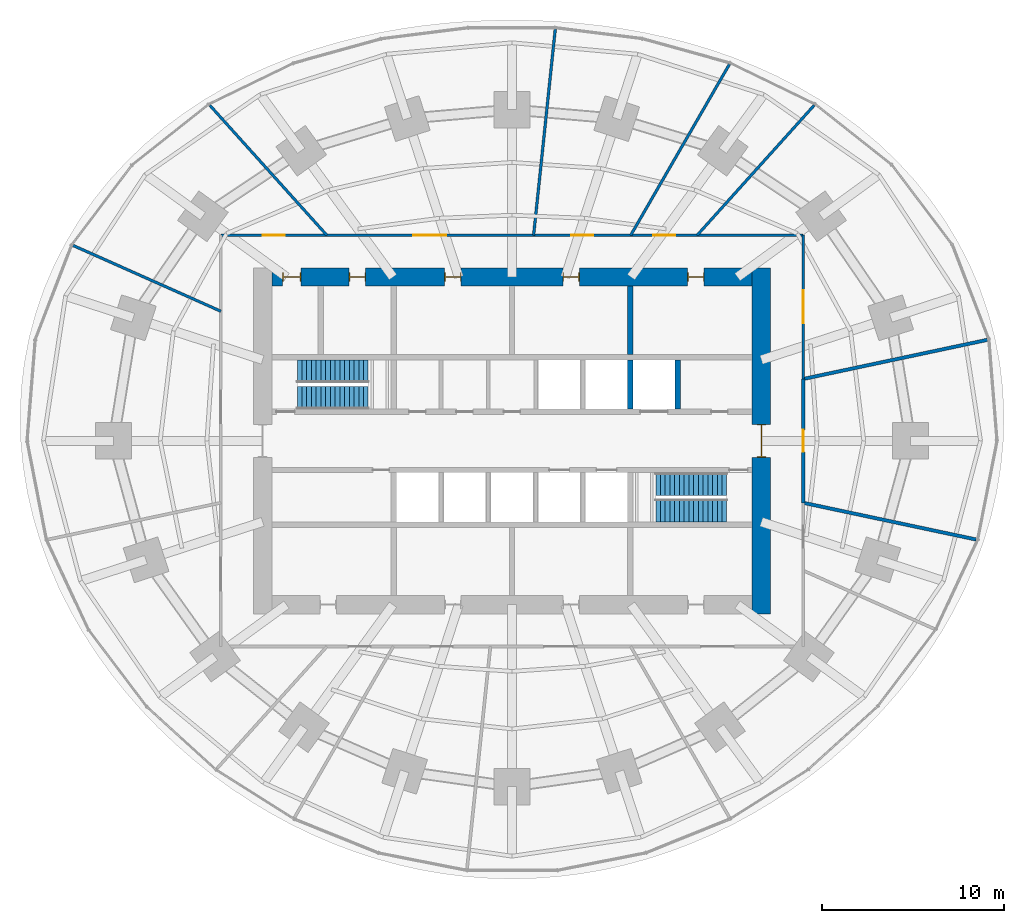
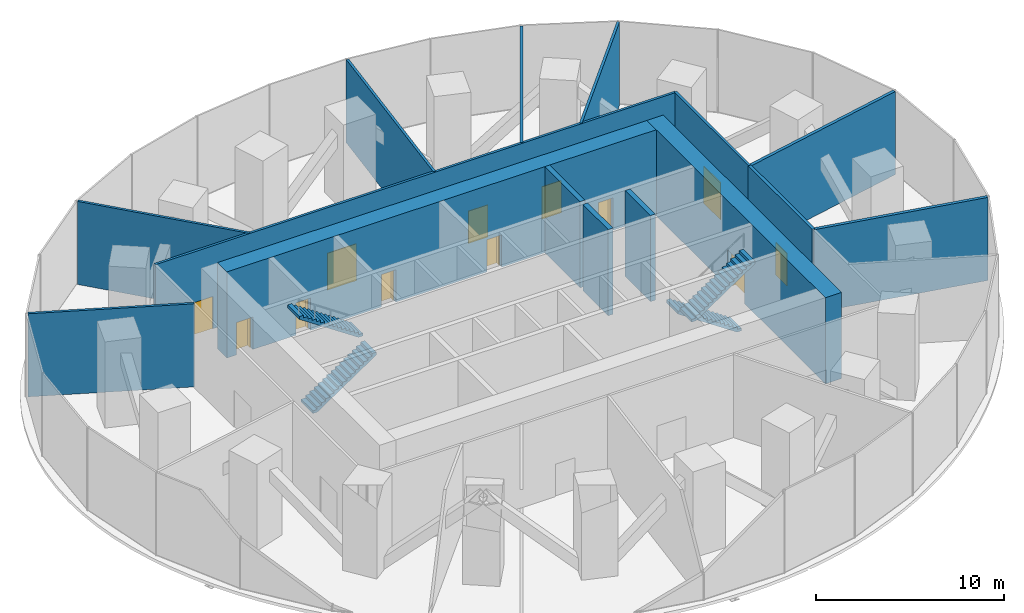
# One storey, part 12 of 13: 15 walls, 12 doors, 4 stair flights, 12 openings, 2 elements without a shape of their own.
"""IFC4 building model written with IfcOpenShell, lengths in metres."""

from ifc_helpers import new_model, si_unit, direction, frame, frame_2d, origin, place, context, subcontext, project, spatial, polyline, rectangle, outline, extrude, material, layer, layer_set, type_object, element, fill, aggregate, save


model = new_model("IFC4")

# Units and contexts
model_context = context("Model", 3, precision=1e-05, world=origin(), true_north=direction((0.0, 1.0)))
body_context = subcontext(model_context, "Body", "Model", "MODEL_VIEW")
ifc_project = project(units=[si_unit("LENGTHUNIT", "METRE"), si_unit("AREAUNIT", "SQUARE_METRE"), si_unit("VOLUMEUNIT", "CUBIC_METRE"), si_unit("PLANEANGLEUNIT", "RADIAN"), si_unit("MASSUNIT", "GRAM", prefix="KILO")], contexts=[model_context])

# Site, building, storey
site_placement = place(None, origin())
site = spatial("IfcSite", under=ifc_project, at=site_placement, CompositionType="ELEMENT")
building_placement = place(site_placement, origin())
building = spatial("IfcBuilding", under=site, at=building_placement, Name="Marramba Exchange Tower", CompositionType="ELEMENT")
storey_placement = place(building_placement, frame((0.0, 0.0, 86.800048828125)))
storey = spatial("IfcBuildingStorey", under=building, at=storey_placement, Name="L20", CompositionType="ELEMENT", Elevation=86.800048828125)

# Wall, openings, doors
ifc_material_1 = material(Name="Concrete N50", Category="concrete")
ifc_layer_1 = layer(ifc_material_1, 1.0)
ifc_layer_set_1 = layer_set([ifc_layer_1], Name="Core wall 1000")
wall_type_1 = type_object("IfcWallType", Name="Core wall 1000", PredefinedType="SHEAR", material=ifc_layer_set_1)
wall_1_placement = place(storey_placement, frame((13.199951171875, 9.0, 0.0), z_axis=(0.0, 0.0, 1.0), x_axis=(-1.0, 0.0, 0.0)))
wall_1 = element("IfcWall", 1, at=wall_1_placement, inside=storey, type_object=wall_type_1, Name="Core wall N L20", PredefinedType="SHEAR", context=body_context, shape_type="SweptSolid", body=[
    extrude(rectangle(XDim=26.39990234375, YDim=1.0, at=frame_2d((13.199951171875, 0.0))), origin(), (0.0, 0.0, 1.0), 5.599853515625),
])
opening_1_placement = place(wall_1_placement, frame((2.64990234375, 0.0, 0.0)))
opening_1 = element("IfcOpeningElement", 2, at=opening_1_placement, cuts=wall_1, Name="Opening D5", PredefinedType="OPENING", context=body_context, shape_type="SweptSolid", body=[
    extrude(rectangle(XDim=0.89990234375, YDim=2.10009765625, at=frame_2d((0.449951171875, 1.050048828125))), frame((0.0, 0.510009765625, 0.0), z_axis=(0.0, -1.0, 0.0), x_axis=(1.0, 0.0, 0.0)), (0.0, 0.0, 1.0), 1.02001953125),
])
opening_2_placement = place(wall_1_placement, frame((9.5, 0.0, 0.0)))
opening_2 = element("IfcOpeningElement", 3, at=opening_2_placement, cuts=wall_1, Name="Opening D3", PredefinedType="OPENING", context=body_context, shape_type="SweptSolid", body=[
    extrude(rectangle(XDim=0.89990234375, YDim=2.10009765625, at=frame_2d((0.449951171875, 1.050048828125))), frame((0.0, 0.510009765625, 0.0), z_axis=(0.0, -1.0, 0.0), x_axis=(1.0, 0.0, 0.0)), (0.0, 0.0, 1.0), 1.02001953125),
])
opening_3_placement = place(wall_1_placement, frame((16.0, 0.0, 0.0)))
opening_3 = element("IfcOpeningElement", 4, at=opening_3_placement, cuts=wall_1, Name="Opening D3", PredefinedType="OPENING", context=body_context, shape_type="SweptSolid", body=[
    extrude(rectangle(XDim=0.89990234375, YDim=2.10009765625, at=frame_2d((0.449951171875, 1.050048828125))), frame((0.0, 0.510009765625, 0.0), z_axis=(0.0, -1.0, 0.0), x_axis=(1.0, 0.0, 0.0)), (0.0, 0.0, 1.0), 1.02001953125),
])
opening_4_placement = place(wall_1_placement, frame((21.25, 0.0, 0.0)))
opening_4 = element("IfcOpeningElement", 5, at=opening_4_placement, cuts=wall_1, Name="Opening D5", PredefinedType="OPENING", context=body_context, shape_type="SweptSolid", body=[
    extrude(rectangle(XDim=0.89990234375, YDim=2.10009765625, at=frame_2d((0.449951171875, 1.050048828125))), frame((0.0, 0.510009765625, 0.0), z_axis=(0.0, -1.0, 0.0), x_axis=(1.0, 0.0, 0.0)), (0.0, 0.0, 1.0), 1.02001953125),
])
opening_5_placement = place(wall_1_placement, frame((24.800048828125, 0.0, 0.0)))
opening_5 = element("IfcOpeningElement", 6, at=opening_5_placement, cuts=wall_1, Name="Opening D4", PredefinedType="OPENING", context=body_context, shape_type="SweptSolid", body=[
    extrude(rectangle(XDim=1.0, YDim=2.10009765625, at=frame_2d((0.5, 1.050048828125))), frame((0.0, 0.510009765625, 0.0), z_axis=(0.0, -1.0, 0.0), x_axis=(1.0, 0.0, 0.0)), (0.0, 0.0, 1.0), 1.02001953125),
])
ifc_material_2 = material(Name="Steel-framed door", Category="steel")
door_type_1 = type_object("IfcDoorType", Name="Accessible toilet door 1000x2100", OperationType="SINGLE_SWING_LEFT", PredefinedType="DOOR", material=ifc_material_2)
door_1_placement = place(opening_5_placement, origin())
door_1 = element("IfcDoor", 7, at=door_1_placement, inside=storey, type_object=door_type_1, Name="D4 awc L20", OperationType="SINGLE_SWING_RIGHT", OverallHeight=2.10009765625, OverallWidth=1.0, PredefinedType="DOOR", context=body_context, shape_type="SweptSolid", body=[
    extrude(rectangle(XDim=0.919921875, YDim=2.06005859375, at=frame_2d((0.5, 1.030029296875))), frame((0.0, 0.02490234375, 0.0), z_axis=(0.0, -1.0, 0.0), x_axis=(1.0, 0.0, 0.0)), (0.0, 0.0, 1.0), 0.050048828125),
    extrude(rectangle(XDim=0.04, YDim=2.10009765625, at=frame_2d((0.02001953125, 1.050048828125))), frame((0.0, 0.25, 0.0), z_axis=(0.0, -1.0, 0.0), x_axis=(1.0, 0.0, 0.0)), (0.0, 0.0, 1.0), 0.5),
    extrude(rectangle(XDim=0.04, YDim=2.10009765625, at=frame_2d((0.97998046875, 1.050048828125))), frame((0.0, 0.25, 0.0), z_axis=(0.0, -1.0, 0.0), x_axis=(1.0, 0.0, 0.0)), (0.0, 0.0, 1.0), 0.5),
    extrude(rectangle(XDim=0.919921875, YDim=0.04, at=frame_2d((0.5, 2.080078125))), frame((0.0, 0.25, 0.0), z_axis=(0.0, -1.0, 0.0), x_axis=(1.0, 0.0, 0.0)), (0.0, 0.0, 1.0), 0.5),
])
fill(opening_5, door_1)
door_type_2 = type_object("IfcDoorType", Name="Service door 900x2100", OperationType="SINGLE_SWING_LEFT", PredefinedType="DOOR", material=ifc_material_2)
door_2_placement = place(opening_1_placement, origin())
door_2 = element("IfcDoor", 8, at=door_2_placement, inside=storey, type_object=door_type_2, Name="D5 comms L20", OperationType="SINGLE_SWING_LEFT", OverallHeight=2.10009765625, OverallWidth=0.89990234375, PredefinedType="DOOR", context=body_context, shape_type="SweptSolid", body=[
    extrude(rectangle(XDim=0.81982421875, YDim=2.06005859375, at=frame_2d((0.449951171875, 1.030029296875))), frame((0.0, 0.02490234375, 0.0), z_axis=(0.0, -1.0, 0.0), x_axis=(1.0, 0.0, 0.0)), (0.0, 0.0, 1.0), 0.050048828125),
    extrude(rectangle(XDim=0.04, YDim=2.10009765625, at=frame_2d((0.02001953125, 1.050048828125))), frame((0.0, 0.25, 0.0), z_axis=(0.0, -1.0, 0.0), x_axis=(1.0, 0.0, 0.0)), (0.0, 0.0, 1.0), 0.5),
    extrude(rectangle(XDim=0.04, YDim=2.10009765625, at=frame_2d((0.8798828125, 1.050048828125))), frame((0.0, 0.25, 0.0), z_axis=(0.0, -1.0, 0.0), x_axis=(1.0, 0.0, 0.0)), (0.0, 0.0, 1.0), 0.5),
    extrude(rectangle(XDim=0.81982421875, YDim=0.04, at=frame_2d((0.449951171875, 2.080078125))), frame((0.0, 0.25, 0.0), z_axis=(0.0, -1.0, 0.0), x_axis=(1.0, 0.0, 0.0)), (0.0, 0.0, 1.0), 0.5),
])
fill(opening_1, door_2)
door_3_placement = place(opening_4_placement, origin())
door_3 = element("IfcDoor", 9, at=door_3_placement, inside=storey, type_object=door_type_2, Name="D5 cleaner L20", OperationType="SINGLE_SWING_RIGHT", OverallHeight=2.10009765625, OverallWidth=0.89990234375, PredefinedType="DOOR", context=body_context, shape_type="SweptSolid", body=[
    extrude(rectangle(XDim=0.81982421875, YDim=2.06005859375, at=frame_2d((0.449951171875, 1.030029296875))), frame((0.0, 0.02490234375, 0.0), z_axis=(0.0, -1.0, 0.0), x_axis=(1.0, 0.0, 0.0)), (0.0, 0.0, 1.0), 0.050048828125),
    extrude(rectangle(XDim=0.04, YDim=2.10009765625, at=frame_2d((0.02001953125, 1.050048828125))), frame((0.0, 0.25, 0.0), z_axis=(0.0, -1.0, 0.0), x_axis=(1.0, 0.0, 0.0)), (0.0, 0.0, 1.0), 0.5),
    extrude(rectangle(XDim=0.04, YDim=2.10009765625, at=frame_2d((0.8798828125, 1.050048828125))), frame((0.0, 0.25, 0.0), z_axis=(0.0, -1.0, 0.0), x_axis=(1.0, 0.0, 0.0)), (0.0, 0.0, 1.0), 0.5),
    extrude(rectangle(XDim=0.81982421875, YDim=0.04, at=frame_2d((0.449951171875, 2.080078125))), frame((0.0, 0.25, 0.0), z_axis=(0.0, -1.0, 0.0), x_axis=(1.0, 0.0, 0.0)), (0.0, 0.0, 1.0), 0.5),
])
fill(opening_4, door_3)
door_type_3 = type_object("IfcDoorType", Name="Toilet door 900x2100", OperationType="SINGLE_SWING_LEFT", PredefinedType="DOOR", material=ifc_material_2)
door_4_placement = place(opening_2_placement, origin())
door_4 = element("IfcDoor", 10, at=door_4_placement, inside=storey, type_object=door_type_3, Name="D3 wc-f L20", OperationType="SINGLE_SWING_RIGHT", OverallHeight=2.10009765625, OverallWidth=0.89990234375, PredefinedType="DOOR", context=body_context, shape_type="SweptSolid", body=[
    extrude(rectangle(XDim=0.81982421875, YDim=2.06005859375, at=frame_2d((0.449951171875, 1.030029296875))), frame((0.0, 0.02490234375, 0.0), z_axis=(0.0, -1.0, 0.0), x_axis=(1.0, 0.0, 0.0)), (0.0, 0.0, 1.0), 0.050048828125),
    extrude(rectangle(XDim=0.04, YDim=2.10009765625, at=frame_2d((0.02001953125, 1.050048828125))), frame((0.0, 0.25, 0.0), z_axis=(0.0, -1.0, 0.0), x_axis=(1.0, 0.0, 0.0)), (0.0, 0.0, 1.0), 0.5),
    extrude(rectangle(XDim=0.04, YDim=2.10009765625, at=frame_2d((0.8798828125, 1.050048828125))), frame((0.0, 0.25, 0.0), z_axis=(0.0, -1.0, 0.0), x_axis=(1.0, 0.0, 0.0)), (0.0, 0.0, 1.0), 0.5),
    extrude(rectangle(XDim=0.81982421875, YDim=0.04, at=frame_2d((0.449951171875, 2.080078125))), frame((0.0, 0.25, 0.0), z_axis=(0.0, -1.0, 0.0), x_axis=(1.0, 0.0, 0.0)), (0.0, 0.0, 1.0), 0.5),
])
fill(opening_2, door_4)
door_5_placement = place(opening_3_placement, origin())
door_5 = element("IfcDoor", 11, at=door_5_placement, inside=storey, type_object=door_type_3, Name="D3 wc-m L20", OperationType="SINGLE_SWING_RIGHT", OverallHeight=2.10009765625, OverallWidth=0.89990234375, PredefinedType="DOOR", context=body_context, shape_type="SweptSolid", body=[
    extrude(rectangle(XDim=0.81982421875, YDim=2.06005859375, at=frame_2d((0.449951171875, 1.030029296875))), frame((0.0, 0.02490234375, 0.0), z_axis=(0.0, -1.0, 0.0), x_axis=(1.0, 0.0, 0.0)), (0.0, 0.0, 1.0), 0.050048828125),
    extrude(rectangle(XDim=0.04, YDim=2.10009765625, at=frame_2d((0.02001953125, 1.050048828125))), frame((0.0, 0.25, 0.0), z_axis=(0.0, -1.0, 0.0), x_axis=(1.0, 0.0, 0.0)), (0.0, 0.0, 1.0), 0.5),
    extrude(rectangle(XDim=0.04, YDim=2.10009765625, at=frame_2d((0.8798828125, 1.050048828125))), frame((0.0, 0.25, 0.0), z_axis=(0.0, -1.0, 0.0), x_axis=(1.0, 0.0, 0.0)), (0.0, 0.0, 1.0), 0.5),
    extrude(rectangle(XDim=0.81982421875, YDim=0.04, at=frame_2d((0.449951171875, 2.080078125))), frame((0.0, 0.25, 0.0), z_axis=(0.0, -1.0, 0.0), x_axis=(1.0, 0.0, 0.0)), (0.0, 0.0, 1.0), 0.5),
])
fill(opening_3, door_5)

# Wall, opening, door
wall_2_placement = place(storey_placement, frame((13.699951171875, -9.5, 0.0), z_axis=(0.0, 0.0, 1.0), x_axis=(0.0, 1.0, 0.0)))
wall_2 = element("IfcWall", 12, at=wall_2_placement, inside=storey, type_object=wall_type_1, Name="Core wall E L20", PredefinedType="SHEAR", context=body_context, shape_type="SweptSolid", body=[
    extrude(rectangle(XDim=19.0, YDim=1.0, at=frame_2d((9.5, 0.0))), origin(), (0.0, 0.0, 1.0), 5.599853515625),
])
opening_6_placement = place(wall_2_placement, frame((8.60009765625, 0.0, 0.0)))
opening_6 = element("IfcOpeningElement", 13, at=opening_6_placement, cuts=wall_2, Name="Opening D1", PredefinedType="OPENING", context=body_context, shape_type="SweptSolid", body=[
    extrude(rectangle(XDim=1.800048828125, YDim=2.39990234375, at=frame_2d((0.89990234375, 1.199951171875))), frame((0.0, 0.510009765625, 0.0), z_axis=(0.0, -1.0, 0.0), x_axis=(1.0, 0.0, 0.0)), (0.0, 0.0, 1.0), 1.02001953125),
])
door_type_4 = type_object("IfcDoorType", Name="Lobby exit door 1800x2400", OperationType="DOUBLE_DOOR_SINGLE_SWING", PredefinedType="DOOR", material=ifc_material_2)
door_6_placement = place(opening_6_placement, origin())
door_6 = element("IfcDoor", 14, at=door_6_placement, inside=storey, type_object=door_type_4, Name="D1 lobby exit east L20", OperationType="DOUBLE_DOOR_SINGLE_SWING", OverallHeight=2.39990234375, OverallWidth=1.800048828125, PredefinedType="DOOR", context=body_context, shape_type="SweptSolid", body=[
    extrude(rectangle(XDim=1.719970703125, YDim=2.35986328125, at=frame_2d((0.89990234375, 1.179931640625))), frame((0.0, 0.02490234375, 0.0), z_axis=(0.0, -1.0, 0.0), x_axis=(1.0, 0.0, 0.0)), (0.0, 0.0, 1.0), 0.050048828125),
    extrude(rectangle(XDim=0.04, YDim=2.39990234375, at=frame_2d((0.02001953125, 1.199951171875))), frame((0.0, 0.25, 0.0), z_axis=(0.0, -1.0, 0.0), x_axis=(1.0, 0.0, 0.0)), (0.0, 0.0, 1.0), 0.5),
    extrude(rectangle(XDim=0.04, YDim=2.39990234375, at=frame_2d((1.780029296875, 1.199951171875))), frame((0.0, 0.25, 0.0), z_axis=(0.0, -1.0, 0.0), x_axis=(1.0, 0.0, 0.0)), (0.0, 0.0, 1.0), 0.5),
    extrude(rectangle(XDim=1.719970703125, YDim=0.04, at=frame_2d((0.89990234375, 2.3798828125))), frame((0.0, 0.25, 0.0), z_axis=(0.0, -1.0, 0.0), x_axis=(1.0, 0.0, 0.0)), (0.0, 0.0, 1.0), 0.5),
])
fill(opening_6, door_6)

# Walls
ifc_layer_2 = layer(ifc_material_1, 0.300048828125)
ifc_layer_set_2 = layer_set([ifc_layer_2], Name="Core wall 300")
wall_type_2 = type_object("IfcWallType", Name="Core wall 300", PredefinedType="SHEAR", material=ifc_layer_set_2)
wall_3_placement = place(storey_placement, frame((6.5, 1.75, 0.0), z_axis=(0.0, 0.0, 1.0), x_axis=(0.0, 1.0, 0.0)))
element("IfcWall", 15, at=wall_3_placement, inside=storey, type_object=wall_type_2, Name="Core wall X1Na L20", PredefinedType="SHEAR", context=body_context, shape_type="SweptSolid", body=[
    extrude(rectangle(XDim=2.699951171875, YDim=0.300048828125, at=frame_2d((1.35009765625, 0.0))), origin(), (0.0, 0.0, 1.0), 5.599853515625),
])
wall_4_placement = place(storey_placement, frame((6.5, 4.75, 0.0), z_axis=(0.0, 0.0, 1.0), x_axis=(0.0, 1.0, 0.0)))
element("IfcWall", 16, at=wall_4_placement, inside=storey, type_object=wall_type_2, Name="Core wall X1Nb L20", PredefinedType="SHEAR", context=body_context, shape_type="SweptSolid", body=[
    extrude(rectangle(XDim=3.75, YDim=0.300048828125, at=frame_2d((1.875, 0.0))), origin(), (0.0, 0.0, 1.0), 5.599853515625),
])
wall_5_placement = place(storey_placement, frame((9.10009765625, 1.75, 0.0), z_axis=(0.0, 0.0, 1.0), x_axis=(0.0, 1.0, 0.0)))
element("IfcWall", 17, at=wall_5_placement, inside=storey, type_object=wall_type_2, Name="Core wall ED L20", PredefinedType="SHEAR", context=body_context, shape_type="SweptSolid", body=[
    extrude(rectangle(XDim=2.699951171875, YDim=0.300048828125, at=frame_2d((1.35009765625, 0.0))), origin(), (0.0, 0.0, 1.0), 5.599853515625),
])
ifc_material_3 = material(Name="Core-filled concrete blockwork, rendered", Category="masonry")
ifc_layer_3 = layer(ifc_material_3, 0.18994140625)
ifc_layer_set_3 = layer_set([ifc_layer_3], Name="Equipment room wall 190")
wall_type_3 = type_object("IfcWallType", Name="Equipment room wall 190", PredefinedType="SOLIDWALL", material=ifc_layer_set_3)
wall_6_placement = place(storey_placement, frame((16.0, -3.40087890625, 0.0), z_axis=(0.0, 0.0, 1.0), x_axis=(0.978145186273, -0.207923049637, 0.0)))
element("IfcWall", 18, at=wall_6_placement, inside=storey, type_object=wall_type_3, Name="Equipment room wall L20 09", PredefinedType="SOLIDWALL", context=body_context, shape_type="SweptSolid", body=[
    extrude(rectangle(XDim=9.71875, YDim=0.18994140625, at=frame_2d((4.859375, 0.0))), origin(), (0.0, 0.0, 1.0), 5.39990234375),
])

# Wall, opening, door
wall_7_placement = place(storey_placement, frame((16.0, -3.40087890625, 0.0), z_axis=(0.0, 0.0, 1.0), x_axis=(0.0, 1.0, 0.0)))
wall_7 = element("IfcWall", 19, at=wall_7_placement, inside=storey, type_object=wall_type_3, Name="Equipment room wall L20 10", PredefinedType="SOLIDWALL", context=body_context, shape_type="SweptSolid", body=[
    extrude(rectangle(XDim=6.8017578125, YDim=0.18994140625, at=frame_2d((3.40087890625, 0.0))), origin(), (0.0, 0.0, 1.0), 5.39990234375),
])
opening_7_placement = place(wall_7_placement, frame((2.801025390625, 0.0, 0.0)))
opening_7 = element("IfcOpeningElement", 20, at=opening_7_placement, cuts=wall_7, Name="Opening D16", PredefinedType="OPENING", context=body_context, shape_type="SweptSolid", body=[
    extrude(rectangle(XDim=1.199951171875, YDim=2.10009765625, at=frame_2d((0.60009765625, 1.050048828125))), frame((0.0, 0.10498046875, 0.0), z_axis=(0.0, -1.0, 0.0), x_axis=(1.0, 0.0, 0.0)), (0.0, 0.0, 1.0), 0.2099609375),
])
door_type_5 = type_object("IfcDoorType", Name="Equipment room door 1200x2100", OperationType="SINGLE_SWING_LEFT", PredefinedType="DOOR", material=ifc_material_2)
door_7_placement = place(opening_7_placement, origin())
door_7 = element("IfcDoor", 21, at=door_7_placement, inside=storey, type_object=door_type_5, Name="D16 UPS Room L20", OperationType="SINGLE_SWING_RIGHT", OverallHeight=2.10009765625, OverallWidth=1.199951171875, PredefinedType="DOOR", context=body_context, shape_type="SweptSolid", body=[
    extrude(rectangle(XDim=1.199951171875, YDim=2.10009765625, at=frame_2d((0.60009765625, 1.050048828125))), frame((0.0, 0.02490234375, 0.0), z_axis=(0.0, -1.0, 0.0), x_axis=(1.0, 0.0, 0.0)), (0.0, 0.0, 1.0), 0.050048828125),
])
fill(opening_7, door_7)

# Wall
wall_8_placement = place(storey_placement, frame((26.123291015625, 5.552734375, 0.0), z_axis=(0.0, 0.0, 1.0), x_axis=(-0.978145959178, -0.207919413582, 0.0)))
element("IfcWall", 22, at=wall_8_placement, inside=storey, type_object=wall_type_3, Name="Equipment room wall L20 11", PredefinedType="SOLIDWALL", context=body_context, shape_type="SweptSolid", body=[
    extrude(rectangle(XDim=10.349365234375, YDim=0.18994140625, at=frame_2d((5.1748046875, 0.0))), origin(), (0.0, 0.0, 1.0), 5.39990234375),
])

# Wall, opening, door
ifc_material_4 = material(Name="Fire-rated plasterboard on steel studs, acoustic insulation", Category="steel")
ifc_layer_4 = layer(ifc_material_4, 0.14990234375)
ifc_layer_set_4 = layer_set([ifc_layer_4], Name="Tenancy wall 150")
wall_type_4 = type_object("IfcWallType", Name="Tenancy wall 150", PredefinedType="PARTITIONING", material=ifc_layer_set_4)
wall_9_placement = place(storey_placement, frame((16.0, 3.40087890625, 0.0), z_axis=(0.0, 0.0, 1.0), x_axis=(0.0, 1.0, 0.0)))
wall_9 = element("IfcWall", 23, at=wall_9_placement, inside=storey, type_object=wall_type_4, Name="Tenancy wall L20 12", PredefinedType="PARTITIONING", context=body_context, shape_type="SweptSolid", body=[
    extrude(rectangle(XDim=7.899169921875, YDim=0.14990234375, at=frame_2d((3.94970703125, 0.0))), origin(), (0.0, 0.0, 1.0), 5.39990234375),
])
opening_8_placement = place(wall_9_placement, frame((3.074951171875, 0.0, 0.0)))
opening_8 = element("IfcOpeningElement", 24, at=opening_8_placement, cuts=wall_9, Name="Opening D18", PredefinedType="OPENING", context=body_context, shape_type="SweptSolid", body=[
    extrude(rectangle(XDim=1.800048828125, YDim=2.39990234375, at=frame_2d((0.89990234375, 1.199951171875))), frame((0.0, 0.0849609375, 0.0), z_axis=(0.0, -1.0, 0.0), x_axis=(1.0, 0.0, 0.0)), (0.0, 0.0, 1.0), 0.169921875),
])
door_type_6 = type_object("IfcDoorType", Name="Door pair 1800x2400", OperationType="DOUBLE_DOOR_SINGLE_SWING", PredefinedType="DOOR", material=ifc_material_2)
door_8_placement = place(opening_8_placement, origin())
door_8 = element("IfcDoor", 25, at=door_8_placement, inside=storey, type_object=door_type_6, Name="D18 AHU Plant Room 1 L20", OperationType="DOUBLE_DOOR_SINGLE_SWING", OverallHeight=2.39990234375, OverallWidth=1.800048828125, PredefinedType="DOOR", context=body_context, shape_type="SweptSolid", body=[
    extrude(rectangle(XDim=1.800048828125, YDim=2.39990234375, at=frame_2d((0.89990234375, 1.199951171875))), frame((0.0, 0.02490234375, 0.0), z_axis=(0.0, -1.0, 0.0), x_axis=(1.0, 0.0, 0.0)), (0.0, 0.0, 1.0), 0.050048828125),
])
fill(opening_8, door_8)

# Walls
wall_10_placement = place(storey_placement, frame((10.174560546875, 11.300048828125, 0.0), z_axis=(0.0, 0.0, 1.0), x_axis=(0.669134495154, 0.743141323972, 0.0)))
element("IfcWall", 26, at=wall_10_placement, inside=storey, type_object=wall_type_4, Name="Tenancy wall L20 13", PredefinedType="PARTITIONING", context=body_context, shape_type="SweptSolid", body=[
    extrude(rectangle(XDim=9.613037109375, YDim=0.14990234375, at=frame_2d((4.806640625, 0.0))), origin(), (0.0, 0.0, 1.0), 5.39990234375),
])
wall_11_placement = place(storey_placement, frame((6.524169921875, 11.300048828125, 0.0), z_axis=(0.0, 0.0, 1.0), x_axis=(0.499989292232, 0.866031585829, 0.0)))
element("IfcWall", 27, at=wall_11_placement, inside=storey, type_object=wall_type_4, Name="Tenancy wall L20 14", PredefinedType="PARTITIONING", context=body_context, shape_type="SweptSolid", body=[
    extrude(rectangle(XDim=10.850341796875, YDim=0.14990234375, at=frame_2d((5.42529296875, 0.0))), origin(), (0.0, 0.0, 1.0), 5.39990234375),
])
wall_12_placement = place(storey_placement, frame((1.187744140625, 11.300048828125, 0.0), z_axis=(0.0, 0.0, 1.0), x_axis=(0.10452632632, 0.994522119968, 0.0)))
element("IfcWall", 28, at=wall_12_placement, inside=storey, type_object=wall_type_4, Name="Tenancy wall L20 15", PredefinedType="PARTITIONING", context=body_context, shape_type="SweptSolid", body=[
    extrude(rectangle(XDim=11.388916015625, YDim=0.14990234375, at=frame_2d((5.6943359375, 0.0))), origin(), (0.0, 0.0, 1.0), 5.39990234375),
])

# Wall, openings, doors
wall_13_placement = place(storey_placement, frame((16.0, 11.300048828125, 0.0), z_axis=(0.0, 0.0, 1.0), x_axis=(-1.0, 0.0, 0.0)))
wall_13 = element("IfcWall", 29, at=wall_13_placement, inside=storey, type_object=wall_type_4, Name="Tenancy wall L20 16", PredefinedType="PARTITIONING", context=body_context, shape_type="SweptSolid", body=[
    extrude(rectangle(XDim=32.0, YDim=0.14990234375, at=frame_2d((16.0, 0.0))), origin(), (0.0, 0.0, 1.0), 5.39990234375),
])
opening_9_placement = place(wall_13_placement, frame((7.02587890625, 0.0, 0.0)))
opening_9 = element("IfcOpeningElement", 30, at=opening_9_placement, cuts=wall_13, Name="Opening D16", PredefinedType="OPENING", context=body_context, shape_type="SweptSolid", body=[
    extrude(rectangle(XDim=1.199951171875, YDim=2.10009765625, at=frame_2d((0.60009765625, 1.050048828125))), frame((0.0, 0.0849609375, 0.0), z_axis=(0.0, -1.0, 0.0), x_axis=(1.0, 0.0, 0.0)), (0.0, 0.0, 1.0), 0.169921875),
])
opening_10_placement = place(wall_13_placement, frame((11.5439453125, 0.0, 0.0)))
opening_10 = element("IfcOpeningElement", 31, at=opening_10_placement, cuts=wall_13, Name="Opening D16", PredefinedType="OPENING", context=body_context, shape_type="SweptSolid", body=[
    extrude(rectangle(XDim=1.199951171875, YDim=2.10009765625, at=frame_2d((0.60009765625, 1.050048828125))), frame((0.0, 0.0849609375, 0.0), z_axis=(0.0, -1.0, 0.0), x_axis=(1.0, 0.0, 0.0)), (0.0, 0.0, 1.0), 0.169921875),
])
opening_11_placement = place(wall_13_placement, frame((19.617919921875, 0.0, 0.0)))
opening_11 = element("IfcOpeningElement", 32, at=opening_11_placement, cuts=wall_13, Name="Opening D18", PredefinedType="OPENING", context=body_context, shape_type="SweptSolid", body=[
    extrude(rectangle(XDim=1.800048828125, YDim=2.39990234375, at=frame_2d((0.89990234375, 1.199951171875))), frame((0.0, 0.0849609375, 0.0), z_axis=(0.0, -1.0, 0.0), x_axis=(1.0, 0.0, 0.0)), (0.0, 0.0, 1.0), 0.169921875),
])
opening_12_placement = place(wall_13_placement, frame((28.487060546875, 0.0, 0.0)))
opening_12 = element("IfcOpeningElement", 33, at=opening_12_placement, cuts=wall_13, Name="Opening D16", PredefinedType="OPENING", context=body_context, shape_type="SweptSolid", body=[
    extrude(rectangle(XDim=1.199951171875, YDim=2.10009765625, at=frame_2d((0.60009765625, 1.050048828125))), frame((0.0, 0.0849609375, 0.0), z_axis=(0.0, -1.0, 0.0), x_axis=(1.0, 0.0, 0.0)), (0.0, 0.0, 1.0), 0.169921875),
])
door_9_placement = place(opening_11_placement, origin())
door_9 = element("IfcDoor", 34, at=door_9_placement, inside=storey, type_object=door_type_6, Name="D18 Chilled Water Plant Room L20", OperationType="DOUBLE_DOOR_SINGLE_SWING", OverallHeight=2.39990234375, OverallWidth=1.800048828125, PredefinedType="DOOR", context=body_context, shape_type="SweptSolid", body=[
    extrude(rectangle(XDim=1.800048828125, YDim=2.39990234375, at=frame_2d((0.89990234375, 1.199951171875))), frame((0.0, 0.02490234375, 0.0), z_axis=(0.0, -1.0, 0.0), x_axis=(1.0, 0.0, 0.0)), (0.0, 0.0, 1.0), 0.050048828125),
])
fill(opening_11, door_9)
door_10_placement = place(opening_9_placement, frame((1.199951171875, 0.0, 0.0), z_axis=(0.0, 0.0, 1.0), x_axis=(-1.0, 0.0, 0.0)))
door_10 = element("IfcDoor", 35, at=door_10_placement, inside=storey, type_object=door_type_5, Name="D16 Outdoor Air Intake Plant Room 1 L20", OperationType="SINGLE_SWING_LEFT", OverallHeight=2.10009765625, OverallWidth=1.199951171875, PredefinedType="DOOR", context=body_context, shape_type="SweptSolid", body=[
    extrude(rectangle(XDim=1.199951171875, YDim=2.10009765625, at=frame_2d((0.599853515625, 1.050048828125))), frame((0.0, 0.025146484375, 0.0), z_axis=(0.0, -1.0, 0.0), x_axis=(1.0, 0.0, 0.0)), (0.0, 0.0, 1.0), 0.050048828125),
])
fill(opening_9, door_10)
door_11_placement = place(opening_10_placement, origin())
door_11 = element("IfcDoor", 36, at=door_11_placement, inside=storey, type_object=door_type_5, Name="D16 Sprinkler Valve Room L20", OperationType="SINGLE_SWING_LEFT", OverallHeight=2.10009765625, OverallWidth=1.199951171875, PredefinedType="DOOR", context=body_context, shape_type="SweptSolid", body=[
    extrude(rectangle(XDim=1.199951171875, YDim=2.10009765625, at=frame_2d((0.60009765625, 1.050048828125))), frame((0.0, 0.02490234375, 0.0), z_axis=(0.0, -1.0, 0.0), x_axis=(1.0, 0.0, 0.0)), (0.0, 0.0, 1.0), 0.050048828125),
])
fill(opening_10, door_11)
door_12_placement = place(opening_12_placement, origin())
door_12 = element("IfcDoor", 37, at=door_12_placement, inside=storey, type_object=door_type_5, Name="D16 Heat Exchanger Plant Room L20", OperationType="SINGLE_SWING_RIGHT", OverallHeight=2.10009765625, OverallWidth=1.199951171875, PredefinedType="DOOR", context=body_context, shape_type="SweptSolid", body=[
    extrude(rectangle(XDim=1.199951171875, YDim=2.10009765625, at=frame_2d((0.60009765625, 1.050048828125))), frame((0.0, 0.02490234375, 0.0), z_axis=(0.0, -1.0, 0.0), x_axis=(1.0, 0.0, 0.0)), (0.0, 0.0, 1.0), 0.050048828125),
])
fill(opening_12, door_12)

# Walls
wall_14_placement = place(storey_placement, frame((-10.174560546875, 11.300048828125, 0.0), z_axis=(0.0, 0.0, 1.0), x_axis=(-0.669134495154, 0.743141323972, 0.0)))
element("IfcWall", 38, at=wall_14_placement, inside=storey, type_object=wall_type_4, Name="Tenancy wall L20 17", PredefinedType="PARTITIONING", context=body_context, shape_type="SweptSolid", body=[
    extrude(rectangle(XDim=9.613037109375, YDim=0.14990234375, at=frame_2d((4.806640625, 0.0))), origin(), (0.0, 0.0, 1.0), 5.39990234375),
])
wall_15_placement = place(storey_placement, frame((-16.0, 7.123779296875, 0.0), z_axis=(0.0, 0.0, 1.0), x_axis=(-0.913550959064, 0.406724286457, 0.0)))
element("IfcWall", 39, at=wall_15_placement, inside=storey, type_object=wall_type_4, Name="Tenancy wall L20 18", PredefinedType="PARTITIONING", context=body_context, shape_type="SweptSolid", body=[
    extrude(rectangle(XDim=8.892333984375, YDim=0.14990234375, at=frame_2d((4.4462890625, 0.0))), origin(), (0.0, 0.0, 1.0), 5.39990234375),
])

# Stair, stair flights
ifc_material_5 = material(Name="Concrete N40 (40 MPa)", Category="concrete")
stair_type_1 = type_object("IfcStairType", Name="Exit stair ST1 5600 x 1250", PredefinedType="HALF_TURN_STAIR", material=ifc_material_5)
stair_1_placement = place(storey_placement, origin())
stair_1 = element("IfcStair", 40, at=stair_1_placement, inside=storey, type_object=stair_type_1, Name="Exit stair ST1 L20", PredefinedType="HALF_TURN_STAIR")
stair_flight_type_1 = type_object("IfcStairFlightType", Name="ST1 stair flight 1750 riser 1250 wide", PredefinedType="STRAIGHT", material=ifc_material_5)
stair_flight_1_placement = place(storey_placement, frame((-11.800048828125, 2.375, 0.0), z_axis=(0.0, 0.0, 1.0), x_axis=(1.0, 0.0, 0.0)))
stair_flight_1 = element("IfcStairFlight", 41, at=stair_flight_1_placement, type_object=stair_flight_type_1, Name="ST1 flight 1", NumberOfRisers=16, NumberOfTreads=15, PredefinedType="STRAIGHT", RiserHeight=0.175, TreadLength=0.26, context=body_context, shape_type="SweptSolid", body=[
    extrude(outline(polyline([(0.0, 0.0), (0.0, 0.175048828125), (0.260009765625, 0.175048828125), (0.260009765625, 0.35009765625), (0.52001953125, 0.35009765625), (0.52001953125, 0.52490234375), (0.780029296875, 0.52490234375), (0.780029296875, 0.699951171875), (1.0400390625, 0.699951171875), (1.0400390625, 0.875), (1.300048828125, 0.875), (1.300048828125, 1.050048828125), (1.56005859375, 1.050048828125), (1.56005859375, 1.22509765625), (1.820068359375, 1.22509765625), (1.820068359375, 1.39990234375), (2.080078125, 1.39990234375), (2.080078125, 1.574951171875), (2.340087890625, 1.574951171875), (2.340087890625, 1.75), (2.60009765625, 1.75), (2.60009765625, 1.925048828125), (2.860107421875, 1.925048828125), (2.860107421875, 2.10009765625), (3.1201171875, 2.10009765625), (3.1201171875, 2.27490234375), (3.3798828125, 2.27490234375), (3.3798828125, 2.449951171875), (3.639892578125, 2.449951171875), (3.639892578125, 2.625), (3.89990234375, 2.625), (3.89990234375, 2.800048828125), (3.89990234375, 2.4443359375), (0.2685546875, 0.0), (0.0, 0.0)])), frame((0.0, 0.625, 0.0), z_axis=(0.0, -1.0, 0.0), x_axis=(1.0, 0.0, 0.0)), (0.0, 0.0, 1.0), 1.25),
])
stair_flight_2_placement = place(storey_placement, frame((-7.89990234375, 3.824951171875, 2.800048828125), z_axis=(0.0, 0.0, 1.0), x_axis=(-1.0, 0.0, 0.0)))
stair_flight_2 = element("IfcStairFlight", 42, at=stair_flight_2_placement, type_object=stair_flight_type_1, Name="ST1 flight 2", NumberOfRisers=16, NumberOfTreads=15, PredefinedType="STRAIGHT", RiserHeight=0.175, TreadLength=0.26, context=body_context, shape_type="SweptSolid", body=[
    extrude(outline(polyline([(0.0, 0.0), (0.0, 0.175048828125), (0.260009765625, 0.175048828125), (0.260009765625, 0.35009765625), (0.52001953125, 0.35009765625), (0.52001953125, 0.52490234375), (0.780029296875, 0.52490234375), (0.780029296875, 0.699951171875), (1.0400390625, 0.699951171875), (1.0400390625, 0.875), (1.300048828125, 0.875), (1.300048828125, 1.050048828125), (1.56005859375, 1.050048828125), (1.56005859375, 1.22509765625), (1.820068359375, 1.22509765625), (1.820068359375, 1.39990234375), (2.080078125, 1.39990234375), (2.080078125, 1.574951171875), (2.340087890625, 1.574951171875), (2.340087890625, 1.75), (2.60009765625, 1.75), (2.60009765625, 1.925048828125), (2.860107421875, 1.925048828125), (2.860107421875, 2.10009765625), (3.1201171875, 2.10009765625), (3.1201171875, 2.27490234375), (3.3798828125, 2.27490234375), (3.3798828125, 2.449951171875), (3.639892578125, 2.449951171875), (3.639892578125, 2.625), (3.89990234375, 2.625), (3.89990234375, 2.800048828125), (3.89990234375, 2.4443359375), (0.2685546875, 0.0), (0.0, 0.0)])), frame((0.0, 0.625, 0.0), z_axis=(0.0, -1.0, 0.0), x_axis=(1.0, 0.0, 0.0)), (0.0, 0.0, 1.0), 1.25),
])
aggregate(stair_1, [stair_flight_1, stair_flight_2])

stair_type_2 = type_object("IfcStairType", Name="Exit stair ST2 5600 x 1250", PredefinedType="HALF_TURN_STAIR", material=ifc_material_5)
stair_2_placement = place(storey_placement, origin())
stair_2 = element("IfcStair", 43, at=stair_2_placement, inside=storey, type_object=stair_type_2, Name="Exit stair ST2 L20", PredefinedType="HALF_TURN_STAIR")
stair_flight_type_2 = type_object("IfcStairFlightType", Name="ST2 stair flight 1750 riser 1250 wide", PredefinedType="STRAIGHT", material=ifc_material_5)
stair_flight_3_placement = place(storey_placement, frame((11.800048828125, -2.375, 0.0), z_axis=(0.0, 0.0, 1.0), x_axis=(-1.0, 0.0, 0.0)))
stair_flight_3 = element("IfcStairFlight", 44, at=stair_flight_3_placement, type_object=stair_flight_type_2, Name="ST2 flight 1", NumberOfRisers=16, NumberOfTreads=15, PredefinedType="STRAIGHT", RiserHeight=0.175, TreadLength=0.26, context=body_context, shape_type="SweptSolid", body=[
    extrude(outline(polyline([(0.0, 0.0), (0.0, 0.175048828125), (0.260009765625, 0.175048828125), (0.260009765625, 0.35009765625), (0.52001953125, 0.35009765625), (0.52001953125, 0.52490234375), (0.780029296875, 0.52490234375), (0.780029296875, 0.699951171875), (1.0400390625, 0.699951171875), (1.0400390625, 0.875), (1.300048828125, 0.875), (1.300048828125, 1.050048828125), (1.56005859375, 1.050048828125), (1.56005859375, 1.22509765625), (1.820068359375, 1.22509765625), (1.820068359375, 1.39990234375), (2.080078125, 1.39990234375), (2.080078125, 1.574951171875), (2.340087890625, 1.574951171875), (2.340087890625, 1.75), (2.60009765625, 1.75), (2.60009765625, 1.925048828125), (2.860107421875, 1.925048828125), (2.860107421875, 2.10009765625), (3.1201171875, 2.10009765625), (3.1201171875, 2.27490234375), (3.3798828125, 2.27490234375), (3.3798828125, 2.449951171875), (3.639892578125, 2.449951171875), (3.639892578125, 2.625), (3.89990234375, 2.625), (3.89990234375, 2.800048828125), (3.89990234375, 2.4443359375), (0.2685546875, 0.0), (0.0, 0.0)])), frame((0.0, 0.625, 0.0), z_axis=(0.0, -1.0, 0.0), x_axis=(1.0, 0.0, 0.0)), (0.0, 0.0, 1.0), 1.25),
])
stair_flight_4_placement = place(storey_placement, frame((7.89990234375, -3.824951171875, 2.800048828125), z_axis=(0.0, 0.0, 1.0), x_axis=(1.0, 0.0, 0.0)))
stair_flight_4 = element("IfcStairFlight", 45, at=stair_flight_4_placement, type_object=stair_flight_type_2, Name="ST2 flight 2", NumberOfRisers=16, NumberOfTreads=15, PredefinedType="STRAIGHT", RiserHeight=0.175, TreadLength=0.26, context=body_context, shape_type="SweptSolid", body=[
    extrude(outline(polyline([(0.0, 0.0), (0.0, 0.175048828125), (0.260009765625, 0.175048828125), (0.260009765625, 0.35009765625), (0.52001953125, 0.35009765625), (0.52001953125, 0.52490234375), (0.780029296875, 0.52490234375), (0.780029296875, 0.699951171875), (1.0400390625, 0.699951171875), (1.0400390625, 0.875), (1.300048828125, 0.875), (1.300048828125, 1.050048828125), (1.56005859375, 1.050048828125), (1.56005859375, 1.22509765625), (1.820068359375, 1.22509765625), (1.820068359375, 1.39990234375), (2.080078125, 1.39990234375), (2.080078125, 1.574951171875), (2.340087890625, 1.574951171875), (2.340087890625, 1.75), (2.60009765625, 1.75), (2.60009765625, 1.925048828125), (2.860107421875, 1.925048828125), (2.860107421875, 2.10009765625), (3.1201171875, 2.10009765625), (3.1201171875, 2.27490234375), (3.3798828125, 2.27490234375), (3.3798828125, 2.449951171875), (3.639892578125, 2.449951171875), (3.639892578125, 2.625), (3.89990234375, 2.625), (3.89990234375, 2.800048828125), (3.89990234375, 2.4443359375), (0.2685546875, 0.0), (0.0, 0.0)])), frame((0.0, 0.625, 0.0), z_axis=(0.0, -1.0, 0.0), x_axis=(1.0, 0.0, 0.0)), (0.0, 0.0, 1.0), 1.25),
])
aggregate(stair_2, [stair_flight_3, stair_flight_4])

save(model, "model.ifc")
